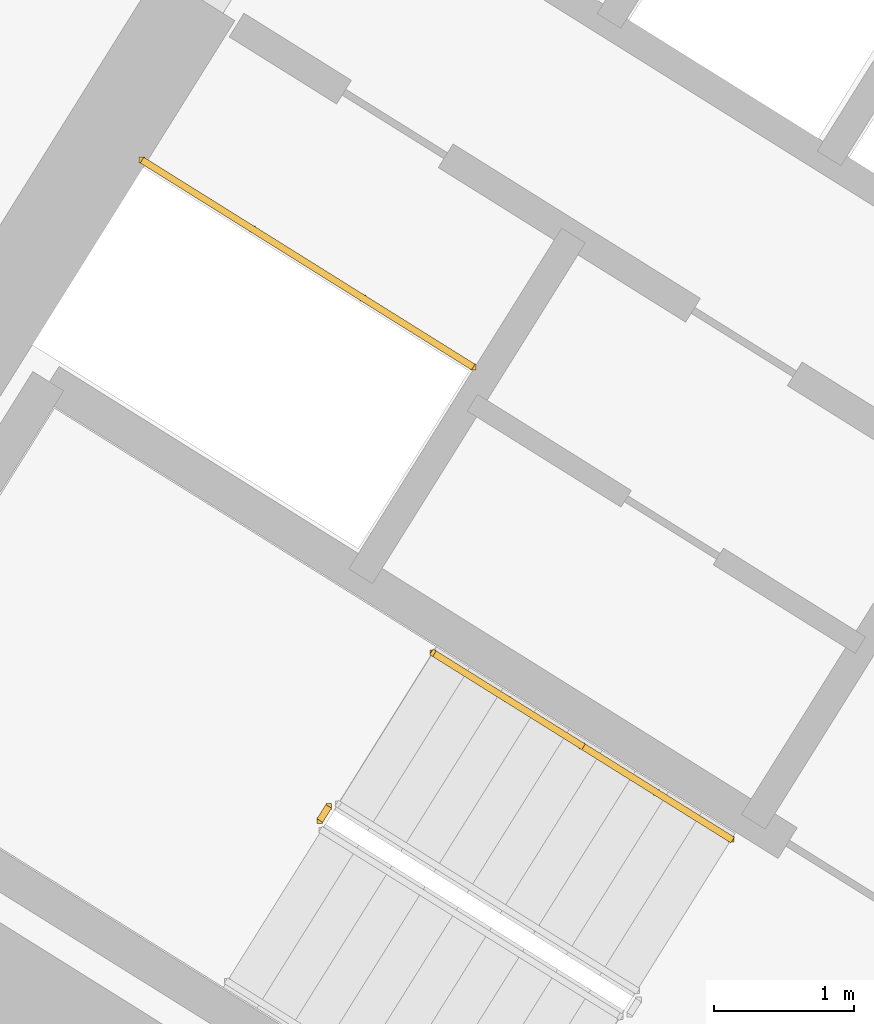
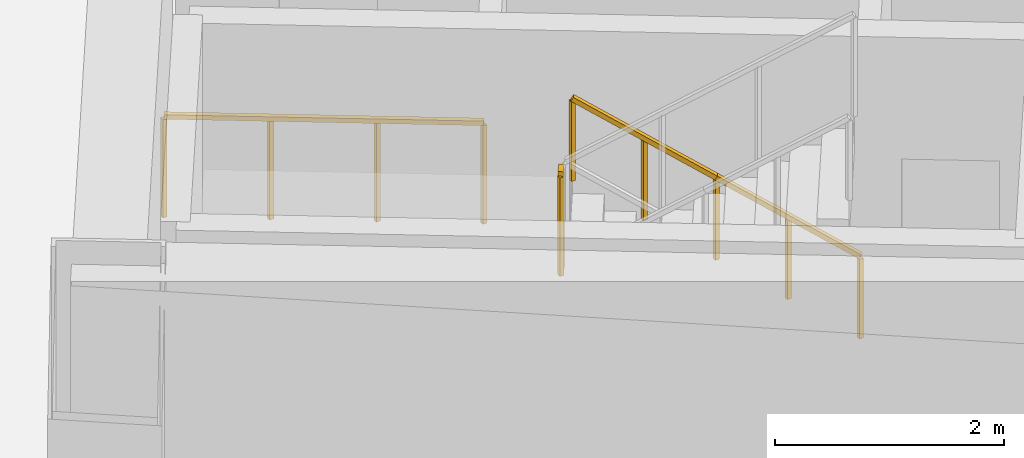
# One storey, part 24 of 28: 4 railings.
"""IFC4 building model written with IfcOpenShell, lengths in metres."""

from ifc_helpers import new_model, si_unit, direction, frame, origin, origin_2d, place, context, subcontext, project, spatial, rectangle, extrude, source, transform, mapped, material, type_object, element, save


model = new_model("IFC4")

# Units and contexts
model_context = context("Model", 3, precision=1e-05, world=origin(), true_north=direction((0.0, 1.0)))
body_context = subcontext(model_context, "Body", "Model", "MODEL_VIEW")
ifc_project = project(units=[si_unit("LENGTHUNIT", "METRE"), si_unit("AREAUNIT", "SQUARE_METRE"), si_unit("VOLUMEUNIT", "CUBIC_METRE"), si_unit("PLANEANGLEUNIT", "RADIAN"), si_unit("MASSUNIT", "GRAM", prefix="KILO")], contexts=[model_context])

# Site, building, storey
site_placement = place(None, origin())
site = spatial("IfcSite", under=ifc_project, at=site_placement, CompositionType="ELEMENT")
building_placement = place(site_placement, origin())
building = spatial("IfcBuilding", under=site, at=building_placement, Name="Tlacorven Tower", CompositionType="ELEMENT")
storey_placement = place(building_placement, frame((0.0, 0.0, 34.800048828125)))
storey = spatial("IfcBuildingStorey", under=building, at=storey_placement, Name="L08", CompositionType="ELEMENT", Elevation=34.800048828125)

# Railings
ifc_material = material(Name="Aluminium and painted steel balustrade", Category="steel")
railing_type_1 = type_object("IfcRailingType", Name="RL-GRD-1100", PredefinedType="GUARDRAIL", material=ifc_material)
shared_shape_1 = source(origin(), body_context, "Body", "SweptSolid", [
    extrude(rectangle(XDim=0.048095703125, YDim=0.048095703125, at=origin_2d()), frame((0.0, 0.0, 1.076171875), z_axis=(-0.848091358275, 0.529850024081, 0.0), x_axis=(-0.529850024081, -0.848091358275, 0.0)), (0.0, 0.0, 1.0), 2.800048828125),
    extrude(rectangle(XDim=0.0419921875, YDim=0.0419921875, at=origin_2d()), origin(), (0.0, 0.0, 1.0), 1.052001953125),
    extrude(rectangle(XDim=0.0419921875, YDim=0.0419921875, at=origin_2d()), frame((-0.79150390625, 0.49462890625, 0.0)), (0.0, 0.0, 1.0), 1.052001953125),
    extrude(rectangle(XDim=0.0419921875, YDim=0.0419921875, at=origin_2d()), frame((-1.583251953125, 0.989013671875, 0.0)), (0.0, 0.0, 1.0), 1.052001953125),
    extrude(rectangle(XDim=0.0419921875, YDim=0.0419921875, at=origin_2d()), frame((-2.374755859375, 1.483642578125, 0.0)), (0.0, 0.0, 1.0), 1.052001953125),
])
railing_1_placement = place(storey_placement, frame((27.9912109375, 22.32080078125, 0.0)))
element("IfcRailing", 1, at=railing_1_placement, inside=storey, type_object=railing_type_1, Name="L08 Electrical Riser W Shaft Guard 1", PredefinedType="GUARDRAIL", context=body_context, shape_type="MappedRepresentation", body=[
    mapped(shared_shape_1, transform((0.0, 0.0, 0.0), scale=1.0)),
])
shared_shape_2 = source(origin(), body_context, "Body", "SweptSolid", [
    extrude(rectangle(XDim=0.048095703125, YDim=0.048095703125, at=origin_2d()), frame((0.0, 0.0, 1.076171875), z_axis=(-0.530546985787, -0.847655529016, 0.0), x_axis=(0.847655529016, -0.530546985787, 0.0)), (0.0, 0.0, 1.0), 0.1201171875),
    extrude(rectangle(XDim=0.0419921875, YDim=0.0419921875, at=origin_2d()), origin(), (0.0, 0.0, 1.0), 1.052001953125),
    extrude(rectangle(XDim=0.0419921875, YDim=0.0419921875, at=origin_2d()), frame((-0.063720703125, -0.101806640625, 0.0)), (0.0, 0.0, 1.0), 1.052001953125),
])
railing_2_placement = place(storey_placement, frame((26.954833984375, 19.17138671875, 1.800048828125)))
element("IfcRailing", 2, at=railing_2_placement, inside=storey, type_object=railing_type_1, Name="L08 ST-W1 stair guard 2", PredefinedType="GUARDRAIL", context=body_context, shape_type="MappedRepresentation", body=[
    mapped(shared_shape_2, transform((0.0, 0.0, 0.0), scale=1.0)),
])
railing_type_2 = type_object("IfcRailingType", Name="RL-HND-0900", PredefinedType="HANDRAIL", material=ifc_material)
shared_shape_3 = source(origin(), body_context, "Body", "SweptSolid", [
    extrude(rectangle(XDim=0.048095703125, YDim=0.048095703125, at=origin_2d()), frame((0.0, 0.0, 0.8759765625), z_axis=(-0.713359751793, 0.4457479829, 0.540764828981), x_axis=(-0.529911857636, -0.848052724267, 0.0)), (0.0, 0.0, 1.0), 1.498046875),
    extrude(rectangle(XDim=0.0419921875, YDim=0.0419921875, at=origin_2d()), origin(), (0.0, 0.0, 1.0), 0.851806640625),
    extrude(rectangle(XDim=0.0419921875, YDim=0.0419921875, at=origin_2d()), frame((-0.5341796875, 0.333984375, 0.405029296875)), (0.0, 0.0, 1.0), 0.851806640625),
    extrude(rectangle(XDim=0.0419921875, YDim=0.0419921875, at=origin_2d()), frame((-1.068603515625, 0.667724609375, 0.81005859375)), (0.0, 0.0, 1.0), 0.851806640625),
])
for number, where, name in (
    (3, (29.839111328125, 18.937255859375, 0.179931640625), "L08 ST-W1 stair handrail 1"),
    (4, (28.7705078125, 19.60498046875, 0.989990234375), "L08 ST-W1 stair handrail 2"),
):
    element("IfcRailing", number, at=place(storey_placement, frame(where)), inside=storey, type_object=railing_type_2, Name=name, PredefinedType="HANDRAIL", context=body_context, shape_type="MappedRepresentation", body=[
        mapped(shared_shape_3, transform((0.0, 0.0, 0.0), scale=1.0)),
    ])

save(model, "model.ifc")
